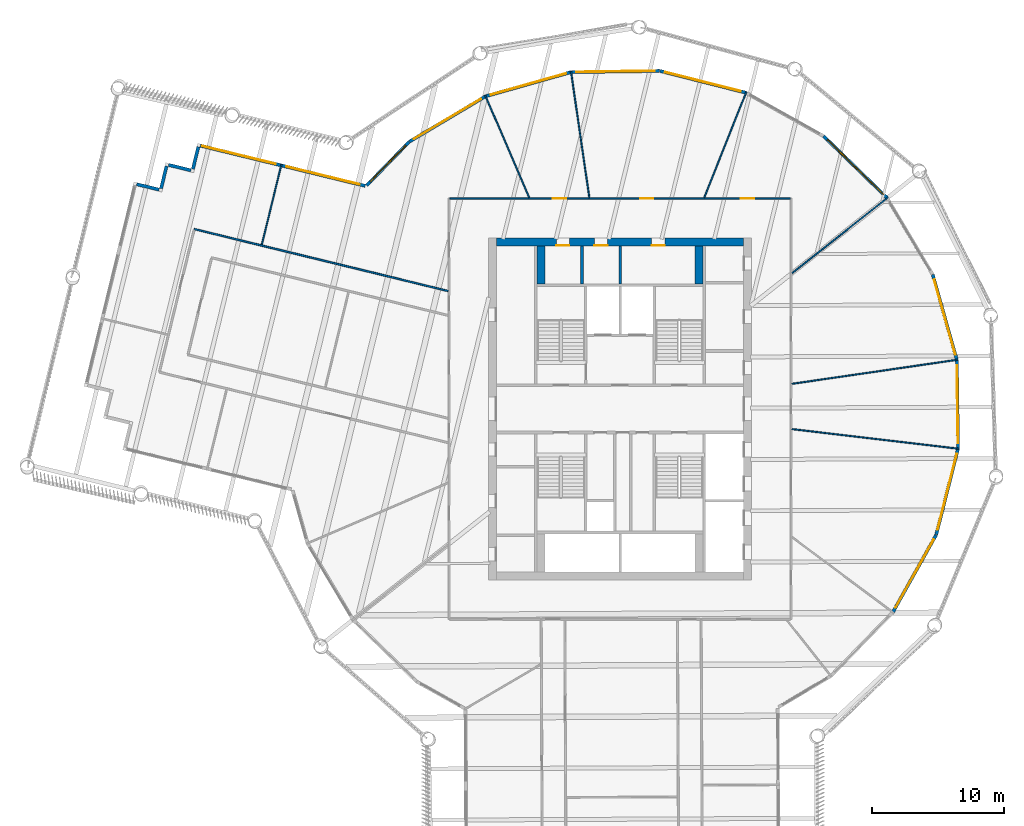
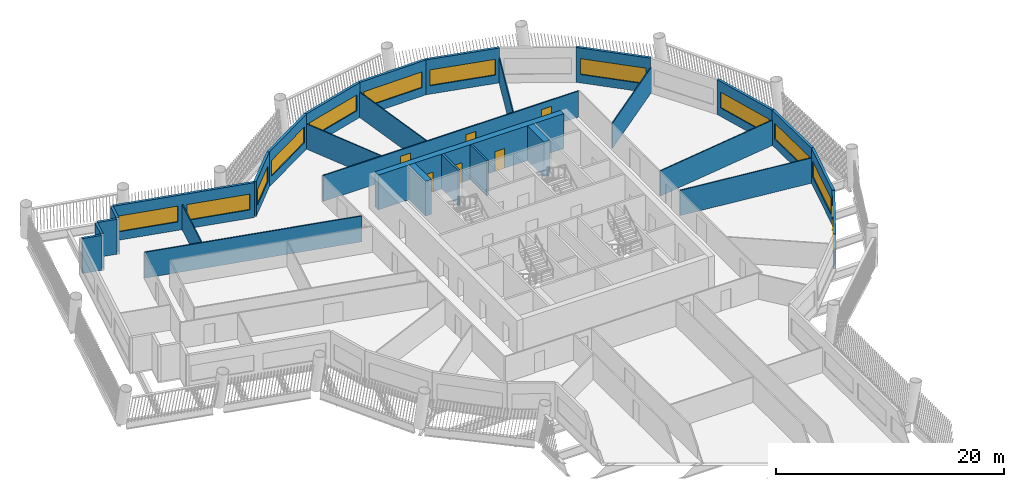
# One storey, part 6 of 15: 29 walls, 12 windows, 6 doors, 18 openings.
"""IFC4 building model written with IfcOpenShell, lengths in metres."""

from ifc_helpers import new_model, si_unit, direction, frame, frame_2d, origin, place, context, subcontext, project, spatial, rectangle, extrude, material, layer, layer_set, type_object, element, fill, save


model = new_model("IFC4")

# Units and contexts
model_context = context("Model", 3, precision=1e-05, world=origin(), true_north=direction((0.0, 1.0)))
body_context = subcontext(model_context, "Body", "Model", "MODEL_VIEW")
ifc_project = project(units=[si_unit("LENGTHUNIT", "METRE"), si_unit("AREAUNIT", "SQUARE_METRE"), si_unit("VOLUMEUNIT", "CUBIC_METRE"), si_unit("PLANEANGLEUNIT", "RADIAN"), si_unit("MASSUNIT", "GRAM", prefix="KILO")], contexts=[model_context])

# Site, building, storey
site_placement = place(None, origin())
site = spatial("IfcSite", under=ifc_project, at=site_placement, CompositionType="ELEMENT")
building_placement = place(site_placement, origin())
building = spatial("IfcBuilding", under=site, at=building_placement, Name="Tarsis Ring Headquarters", CompositionType="ELEMENT")
storey_placement = place(building_placement, frame((0.0, 0.0, 227.699951171875)))
storey = spatial("IfcBuildingStorey", under=building, at=storey_placement, Name="L53", CompositionType="ELEMENT", Elevation=227.699951171875)

# Walls
ifc_material_1 = material(Name="Blockwork", Category="masonry")
ifc_layer_1 = layer(ifc_material_1, 0.199951171875)
ifc_layer_set_1 = layer_set([ifc_layer_1], Name="Core blockwork wall 200")
wall_type_1 = type_object("IfcWallType", Name="Core blockwork wall 200", PredefinedType="PARTITIONING", material=ifc_layer_set_1)
for number, where, z_axis, x_axis, name in (
    (1, (-2.89990234375, 9.5, 0.0), (0.0, 0.0, 1.0), (0.0, 1.0, 0.0), "Core partition ND1"),
    (2, (0.0, 9.5, 0.0), (0.0, 0.0, 1.0), (0.0, 1.0, 0.0), "Core partition ND2"),
):
    element("IfcWall", number, at=place(storey_placement, frame(where, z_axis=z_axis, x_axis=x_axis)), inside=storey, type_object=wall_type_1, Name=name, PredefinedType="PARTITIONING", context=body_context, shape_type="SweptSolid", body=[
        extrude(rectangle(XDim=2.89990234375, YDim=0.199951171875, at=frame_2d((1.449951171875, 0.0))), origin(), (0.0, 0.0, 1.0), 3.739990234375),
    ])

# Wall, openings, doors
ifc_material_2 = material(Name="Concrete C50/60", Category="concrete")
ifc_layer_2 = layer(ifc_material_2, 0.60009765625)
ifc_layer_set_2 = layer_set([ifc_layer_2], Name="Core wall 600 C50/60")
wall_type_2 = type_object("IfcWallType", Name="Core wall 600 C50/60", PredefinedType="SHEAR", material=ifc_layer_set_2)
wall_1_placement = place(storey_placement, frame((-9.39990234375, 12.699951171875, 0.0), z_axis=(0.0, 0.0, 1.0), x_axis=(1.0, 0.0, 0.0)))
wall_1 = element("IfcWall", 3, at=wall_1_placement, inside=storey, type_object=wall_type_2, Name="Core wall ON", PredefinedType="SHEAR", context=body_context, shape_type="SweptSolid", body=[
    extrude(rectangle(XDim=18.7998046875, YDim=0.60009765625, at=frame_2d((9.39990234375, 0.0))), origin(), (0.0, 0.0, 1.0), 3.739990234375),
])
opening_1_placement = place(wall_1_placement, frame((4.550048828125, 0.0, 0.0)))
opening_1 = element("IfcOpeningElement", 4, at=opening_1_placement, cuts=wall_1, Name="Opening L53-C14", PredefinedType="OPENING", context=body_context, shape_type="SweptSolid", body=[
    extrude(rectangle(XDim=1.0, YDim=2.10009765625, at=frame_2d((0.5, 1.050048828125))), frame((0.0, 0.31005859375, 0.0), z_axis=(0.0, -1.0, 0.0), x_axis=(1.0, 0.0, 0.0)), (0.0, 0.0, 1.0), 0.6201171875),
])
opening_2_placement = place(wall_1_placement, frame((7.449951171875, 0.0, 0.0)))
opening_2 = element("IfcOpeningElement", 5, at=opening_2_placement, cuts=wall_1, Name="Opening L53-C15", PredefinedType="OPENING", context=body_context, shape_type="SweptSolid", body=[
    extrude(rectangle(XDim=1.0, YDim=2.10009765625, at=frame_2d((0.5, 1.050048828125))), frame((0.0, 0.31005859375, 0.0), z_axis=(0.0, -1.0, 0.0), x_axis=(1.0, 0.0, 0.0)), (0.0, 0.0, 1.0), 0.6201171875),
])
opening_3_placement = place(wall_1_placement, frame((11.800048828125, 0.0, 0.0)))
opening_3 = element("IfcOpeningElement", 6, at=opening_3_placement, cuts=wall_1, Name="Opening L53-C16", PredefinedType="OPENING", context=body_context, shape_type="SweptSolid", body=[
    extrude(rectangle(XDim=1.0, YDim=2.10009765625, at=frame_2d((0.5, 1.050048828125))), frame((0.0, 0.31005859375, 0.0), z_axis=(0.0, -1.0, 0.0), x_axis=(1.0, 0.0, 0.0)), (0.0, 0.0, 1.0), 0.6201171875),
])
ifc_material_3 = material(Name="Steel S355", Category="steel")
door_type_1 = type_object("IfcDoorType", Name="Core room door 1000x2100", OperationType="SINGLE_SWING_LEFT", PredefinedType="DOOR", material=ifc_material_3)
door_1_placement = place(opening_1_placement, origin())
door_1 = element("IfcDoor", 7, at=door_1_placement, inside=storey, type_object=door_type_1, Name="Core room door L53", OperationType="SINGLE_SWING_LEFT", OverallHeight=2.10009765625, OverallWidth=1.0, PredefinedType="DOOR", context=body_context, shape_type="SweptSolid", body=[
    extrude(rectangle(XDim=1.0, YDim=2.10009765625, at=frame_2d((0.5, 1.050048828125))), frame((0.0, -0.25, 0.0), z_axis=(0.0, -1.0, 0.0), x_axis=(1.0, 0.0, 0.0)), (0.0, 0.0, 1.0), 0.050048828125),
])
fill(opening_1, door_1)
door_2_placement = place(opening_2_placement, origin())
door_2 = element("IfcDoor", 8, at=door_2_placement, inside=storey, type_object=door_type_1, Name="Core room door L53", OperationType="SINGLE_SWING_LEFT", OverallHeight=2.10009765625, OverallWidth=1.0, PredefinedType="DOOR", context=body_context, shape_type="SweptSolid", body=[
    extrude(rectangle(XDim=1.0, YDim=2.10009765625, at=frame_2d((0.5, 1.050048828125))), frame((0.0, -0.25, 0.0), z_axis=(0.0, -1.0, 0.0), x_axis=(1.0, 0.0, 0.0)), (0.0, 0.0, 1.0), 0.050048828125),
])
fill(opening_2, door_2)
door_3_placement = place(opening_3_placement, origin())
door_3 = element("IfcDoor", 9, at=door_3_placement, inside=storey, type_object=door_type_1, Name="Core room door L53", OperationType="SINGLE_SWING_LEFT", OverallHeight=2.10009765625, OverallWidth=1.0, PredefinedType="DOOR", context=body_context, shape_type="SweptSolid", body=[
    extrude(rectangle(XDim=1.0, YDim=2.10009765625, at=frame_2d((0.5, 1.050048828125))), frame((0.0, -0.25, 0.0), z_axis=(0.0, -1.0, 0.0), x_axis=(1.0, 0.0, 0.0)), (0.0, 0.0, 1.0), 0.050048828125),
])
fill(opening_3, door_3)

# Walls
ifc_material_4 = material(Name="Gypsum board on steel studs", Category="steel")
ifc_layer_3 = layer(ifc_material_4, 0.10009765625)
ifc_layer_set_3 = layer_set([ifc_layer_3], Name="FL partition 100 unrated")
wall_type_3 = type_object("IfcWallType", Name="FL partition 100 unrated", PredefinedType="PARTITIONING", material=ifc_layer_set_3)
wall_2_placement = place(storey_placement, frame((13.069580078125, -1.539794921875, 0.0), z_axis=(0.0, 0.0, 1.0), x_axis=(0.993128171286, -0.117031770891, 0.0)))
element("IfcWall", 10, at=wall_2_placement, inside=storey, type_object=wall_type_3, Name="Partition PW3", PredefinedType="PARTITIONING", context=body_context, shape_type="SweptSolid", body=[
    extrude(rectangle(XDim=12.787841796875, YDim=0.10009765625, at=frame_2d((6.39404296875, 0.0))), origin(), (0.0, 0.0, 1.0), 2.699951171875),
])
wall_3_placement = place(storey_placement, frame((13.0693359375, 1.90185546875, 0.0), z_axis=(0.0, 0.0, 1.0), x_axis=(0.989574724274, 0.144020363411, 0.0)))
element("IfcWall", 11, at=wall_3_placement, inside=storey, type_object=wall_type_3, Name="Partition PW3", PredefinedType="PARTITIONING", context=body_context, shape_type="SweptSolid", body=[
    extrude(rectangle(XDim=12.740966796875, YDim=0.10009765625, at=frame_2d((6.37060546875, 0.0))), origin(), (0.0, 0.0, 1.0), 2.699951171875),
])
wall_4_placement = place(storey_placement, frame((-3.73681640625, 25.677490234375, 0.0), z_axis=(0.0, 0.0, 1.0), x_axis=(0.144029386318, -0.98957341106, 0.0)))
element("IfcWall", 12, at=wall_4_placement, inside=storey, type_object=wall_type_3, Name="Partition PW3", PredefinedType="PARTITIONING", context=body_context, shape_type="SweptSolid", body=[
    extrude(rectangle(XDim=9.70947265625, YDim=0.10009765625, at=frame_2d((4.854736328125, 0.0))), origin(), (0.0, 0.0, 1.0), 2.699951171875),
])
wall_5_placement = place(storey_placement, frame((13.086181640625, 10.32763671875, 0.0), z_axis=(0.0, 0.0, 1.0), x_axis=(0.785010736889, 0.619482157103, 0.0)))
element("IfcWall", 13, at=wall_5_placement, inside=storey, type_object=wall_type_3, Name="Partition PW3", PredefinedType="PARTITIONING", context=body_context, shape_type="SweptSolid", body=[
    extrude(rectangle(XDim=9.277099609375, YDim=0.10009765625, at=frame_2d((4.638671875, 0.0))), origin(), (0.0, 0.0, 1.0), 2.699951171875),
])
wall_6_placement = place(storey_placement, frame((6.4033203125, 16.07421875, 0.0), z_axis=(0.0, 0.0, 1.0), x_axis=(0.370056199163, 0.929009369953, 0.0)))
element("IfcWall", 14, at=wall_6_placement, inside=storey, type_object=wall_type_3, Name="Partition PW3", PredefinedType="PARTITIONING", context=body_context, shape_type="SweptSolid", body=[
    extrude(rectangle(XDim=8.645263671875, YDim=0.10009765625, at=frame_2d((4.32275390625, 0.0))), origin(), (0.0, 0.0, 1.0), 2.699951171875),
])
wall_7_placement = place(storey_placement, frame((-10.255126953125, 23.835205078125, 0.0), z_axis=(0.0, 0.0, 1.0), x_axis=(0.395209167336, -0.918591157182, 0.0)))
element("IfcWall", 15, at=wall_7_placement, inside=storey, type_object=wall_type_3, Name="Partition PW3", PredefinedType="PARTITIONING", context=body_context, shape_type="SweptSolid", body=[
    extrude(rectangle(XDim=8.44970703125, YDim=0.10009765625, at=frame_2d((4.224853515625, 0.0))), origin(), (0.0, 0.0, 1.0), 2.699951171875),
])
wall_8_placement = place(storey_placement, frame((-27.235595703125, 12.486083984375, 0.0), z_axis=(0.0, 0.0, 1.0), x_axis=(0.237144116852, 0.971474481313, 0.0)))
element("IfcWall", 16, at=wall_8_placement, inside=storey, type_object=wall_type_3, Name="Partition PW3", PredefinedType="PARTITIONING", context=body_context, shape_type="SweptSolid", body=[
    extrude(rectangle(XDim=6.280029296875, YDim=0.10009765625, at=frame_2d((3.14013671875, 0.0))), origin(), (0.0, 0.0, 1.0), 2.699951171875),
])

# Wall, openings, doors
ifc_layer_4 = layer(ifc_material_4, 0.125)
ifc_layer_set_4 = layer_set([ifc_layer_4], Name="FL partition 125 EI 60 H2770")
wall_type_4 = type_object("IfcWallType", Name="FL partition 125 EI 60 H2770", PredefinedType="PARTITIONING", material=ifc_layer_set_4)
wall_9_placement = place(storey_placement, frame((-12.93994140625, 16.0, 0.0), z_axis=(0.0, 0.0, 1.0), x_axis=(1.0, 0.0, 0.0)))
wall_9 = element("IfcWall", 17, at=wall_9_placement, inside=storey, type_object=wall_type_4, Name="Partition PW1", PredefinedType="PARTITIONING", context=body_context, shape_type="SweptSolid", body=[
    extrude(rectangle(XDim=25.8798828125, YDim=0.125, at=frame_2d((12.93994140625, 0.0))), origin(), (0.0, 0.0, 1.0), 2.77001953125),
])
opening_4_placement = place(wall_9_placement, frame((7.833740234375, 0.0, 0.0)))
opening_4 = element("IfcOpeningElement", 18, at=opening_4_placement, cuts=wall_9, Name="Opening D53.04", PredefinedType="OPENING", context=body_context, shape_type="SweptSolid", body=[
    extrude(rectangle(XDim=1.0, YDim=2.10009765625, at=frame_2d((0.5, 1.050048828125))), frame((0.0, 0.072509765625, 0.0), z_axis=(0.0, -1.0, 0.0), x_axis=(1.0, 0.0, 0.0)), (0.0, 0.0, 1.0), 0.14501953125),
])
opening_5_placement = place(wall_9_placement, frame((14.462646484375, 0.0, 0.0)))
opening_5 = element("IfcOpeningElement", 19, at=opening_5_placement, cuts=wall_9, Name="Opening D53.05", PredefinedType="OPENING", context=body_context, shape_type="SweptSolid", body=[
    extrude(rectangle(XDim=1.0, YDim=2.10009765625, at=frame_2d((0.5, 1.050048828125))), frame((0.0, 0.072509765625, 0.0), z_axis=(0.0, -1.0, 0.0), x_axis=(1.0, 0.0, 0.0)), (0.0, 0.0, 1.0), 0.14501953125),
])
opening_6_placement = place(wall_9_placement, frame((22.126708984375, 0.0, 0.0)))
opening_6 = element("IfcOpeningElement", 20, at=opening_6_placement, cuts=wall_9, Name="Opening D53.06", PredefinedType="OPENING", context=body_context, shape_type="SweptSolid", body=[
    extrude(rectangle(XDim=1.0, YDim=2.10009765625, at=frame_2d((0.5, 1.050048828125))), frame((0.0, 0.072509765625, 0.0), z_axis=(0.0, -1.0, 0.0), x_axis=(1.0, 0.0, 0.0)), (0.0, 0.0, 1.0), 0.14501953125),
])
ifc_material_5 = material(Name="Fire-rated timber door leaf in steel frame", Category="steel")
door_type_2 = type_object("IfcDoorType", Name="FL door FD60-1000", OperationType="NOTDEFINED", PredefinedType="DOOR", material=ifc_material_5)
door_4_placement = place(opening_4_placement, origin())
door_4 = element("IfcDoor", 21, at=door_4_placement, inside=storey, type_object=door_type_2, Name="Door D53.04", OperationType="SINGLE_SWING_LEFT", OverallHeight=2.10009765625, OverallWidth=1.0, PredefinedType="DOOR", context=body_context, shape_type="SweptSolid", body=[
    extrude(rectangle(XDim=1.0, YDim=2.10009765625, at=frame_2d((0.5, 1.050048828125))), frame((0.0, 0.02490234375, 0.0), z_axis=(0.0, -1.0, 0.0), x_axis=(1.0, 0.0, 0.0)), (0.0, 0.0, 1.0), 0.050048828125),
])
fill(opening_4, door_4)
door_5_placement = place(opening_5_placement, origin())
door_5 = element("IfcDoor", 22, at=door_5_placement, inside=storey, type_object=door_type_2, Name="Door D53.05", OperationType="SINGLE_SWING_RIGHT", OverallHeight=2.10009765625, OverallWidth=1.0, PredefinedType="DOOR", context=body_context, shape_type="SweptSolid", body=[
    extrude(rectangle(XDim=1.0, YDim=2.10009765625, at=frame_2d((0.5, 1.050048828125))), frame((0.0, 0.02490234375, 0.0), z_axis=(0.0, -1.0, 0.0), x_axis=(1.0, 0.0, 0.0)), (0.0, 0.0, 1.0), 0.050048828125),
])
fill(opening_5, door_5)
door_6_placement = place(opening_6_placement, origin())
door_6 = element("IfcDoor", 23, at=door_6_placement, inside=storey, type_object=door_type_2, Name="Door D53.06", OperationType="SINGLE_SWING_LEFT", OverallHeight=2.10009765625, OverallWidth=1.0, PredefinedType="DOOR", context=body_context, shape_type="SweptSolid", body=[
    extrude(rectangle(XDim=1.0, YDim=2.10009765625, at=frame_2d((0.5, 1.050048828125))), frame((0.0, 0.02490234375, 0.0), z_axis=(0.0, -1.0, 0.0), x_axis=(1.0, 0.0, 0.0)), (0.0, 0.0, 1.0), 0.050048828125),
])
fill(opening_6, door_6)

# Wall
wall_10_placement = place(storey_placement, frame((-32.3720703125, 13.66796875, 0.0), z_axis=(0.0, 0.0, 1.0), x_axis=(0.971466919337, -0.237175092778, 0.0)))
element("IfcWall", 24, at=wall_10_placement, inside=storey, type_object=wall_type_4, Name="Partition PW1", PredefinedType="PARTITIONING", context=body_context, shape_type="SweptSolid", body=[
    extrude(rectangle(XDim=19.870849609375, YDim=0.125, at=frame_2d((9.935546875, 0.0))), origin(), (0.0, 0.0, 1.0), 2.77001953125),
])

# Wall, opening, window
ifc_material_6 = material(Name="Terracotta clad insulated panel wall", Category="masonry")
ifc_layer_5 = layer(ifc_material_6, 0.25)
ifc_layer_set_5 = layer_set([ifc_layer_5], Name="Facade wall terracotta panel 250")
wall_type_5 = type_object("IfcWallType", Name="Facade wall terracotta panel 250", PredefinedType="STANDARD", material=ifc_layer_set_5)
wall_11_placement = place(storey_placement, frame((20.747802734375, -15.455810546875, 0.0), z_axis=(0.0, 0.0, 1.0), x_axis=(0.488142076347, 0.872764179661, 0.0)))
wall_11 = element("IfcWall", 25, at=wall_11_placement, inside=storey, type_object=wall_type_5, Name="External wall L53-19", PredefinedType="STANDARD", context=body_context, shape_type="SweptSolid", body=[
    extrude(rectangle(XDim=6.721435546875, YDim=0.25, at=frame_2d((3.36083984375, 0.0))), origin(), (0.0, 0.0, 1.0), 3.739990234375),
])
opening_7_placement = place(wall_11_placement, frame((0.3857421875, 0.0, 0.89990234375)))
opening_7 = element("IfcOpeningElement", 26, at=opening_7_placement, cuts=wall_11, Name="Opening WN07", PredefinedType="OPENING", context=body_context, shape_type="SweptSolid", body=[
    extrude(rectangle(XDim=5.949951171875, YDim=1.699951171875, at=frame_2d((2.97509765625, 0.85009765625))), frame((0.0, 0.135009765625, 0.0), z_axis=(0.0, -1.0, 0.0), x_axis=(1.0, 0.0, 0.0)), (0.0, 0.0, 1.0), 0.27001953125),
])
ifc_material_7 = material(Name="Aluminium framed double glazing", Category="aluminium")
window_type_1 = type_object("IfcWindowType", Name="Facade window 5950 x 1700", PartitioningType="SINGLE_PANEL", PredefinedType="WINDOW", material=ifc_material_7)
window_1_placement = place(opening_7_placement, origin())
window_1 = element("IfcWindow", 27, at=window_1_placement, inside=storey, type_object=window_type_1, Name="Window L53-19.1", OverallHeight=1.699951171875, OverallWidth=5.949951171875, PartitioningType="SINGLE_PANEL", PredefinedType="WINDOW", context=body_context, shape_type="SweptSolid", body=[
    extrude(rectangle(XDim=5.949951171875, YDim=1.699951171875, at=frame_2d((2.97509765625, 0.85009765625))), frame((0.0, 0.030029296875, 0.0), z_axis=(0.0, -1.0, 0.0), x_axis=(1.0, 0.0, 0.0)), (0.0, 0.0, 1.0), 0.06005859375),
])
fill(opening_7, window_1)

wall_12_placement = place(storey_placement, frame((24.041015625, -9.559326171875, 0.0), z_axis=(0.0, 0.0, 1.0), x_axis=(0.245645245002, 0.969359795745, 0.0)))
wall_12 = element("IfcWall", 28, at=wall_12_placement, inside=storey, type_object=wall_type_5, Name="External wall L53-20", PredefinedType="STANDARD", context=body_context, shape_type="SweptSolid", body=[
    extrude(rectangle(XDim=6.7216796875, YDim=0.25, at=frame_2d((3.36083984375, 0.0))), origin(), (0.0, 0.0, 1.0), 3.739990234375),
])
opening_8_placement = place(wall_12_placement, frame((0.3857421875, 0.0, 0.89990234375)))
opening_8 = element("IfcOpeningElement", 29, at=opening_8_placement, cuts=wall_12, Name="Opening WN07", PredefinedType="OPENING", context=body_context, shape_type="SweptSolid", body=[
    extrude(rectangle(XDim=5.949951171875, YDim=1.699951171875, at=frame_2d((2.97509765625, 0.85009765625))), frame((0.0, 0.135009765625, 0.0), z_axis=(0.0, -1.0, 0.0), x_axis=(1.0, 0.0, 0.0)), (0.0, 0.0, 1.0), 0.27001953125),
])
window_2_placement = place(opening_8_placement, origin())
window_2 = element("IfcWindow", 30, at=window_2_placement, inside=storey, type_object=window_type_1, Name="Window L53-20.1", OverallHeight=1.699951171875, OverallWidth=5.949951171875, PartitioningType="SINGLE_PANEL", PredefinedType="WINDOW", context=body_context, shape_type="SweptSolid", body=[
    extrude(rectangle(XDim=5.949951171875, YDim=1.699951171875, at=frame_2d((2.97509765625, 0.85009765625))), frame((0.0, 0.030029296875, 0.0), z_axis=(0.0, -1.0, 0.0), x_axis=(1.0, 0.0, 0.0)), (0.0, 0.0, 1.0), 0.06005859375),
])
fill(opening_8, window_2)

wall_13_placement = place(storey_placement, frame((25.696044921875, -3.01123046875, 0.0), z_axis=(0.0, 0.0, 1.0), x_axis=(-0.013620734954, 0.999907233487, 0.0)))
wall_13 = element("IfcWall", 31, at=wall_13_placement, inside=storey, type_object=wall_type_5, Name="External wall L53-21", PredefinedType="STANDARD", context=body_context, shape_type="SweptSolid", body=[
    extrude(rectangle(XDim=6.7216796875, YDim=0.25, at=frame_2d((3.36083984375, 0.0))), origin(), (0.0, 0.0, 1.0), 3.739990234375),
])
opening_9_placement = place(wall_13_placement, frame((0.3857421875, 0.0, 0.89990234375)))
opening_9 = element("IfcOpeningElement", 32, at=opening_9_placement, cuts=wall_13, Name="Opening WN07", PredefinedType="OPENING", context=body_context, shape_type="SweptSolid", body=[
    extrude(rectangle(XDim=5.949951171875, YDim=1.699951171875, at=frame_2d((2.97509765625, 0.85009765625))), frame((0.0, 0.135009765625, 0.0), z_axis=(0.0, -1.0, 0.0), x_axis=(1.0, 0.0, 0.0)), (0.0, 0.0, 1.0), 0.27001953125),
])
window_3_placement = place(opening_9_placement, origin())
window_3 = element("IfcWindow", 33, at=window_3_placement, inside=storey, type_object=window_type_1, Name="Window L53-21.1", OverallHeight=1.699951171875, OverallWidth=5.949951171875, PartitioningType="SINGLE_PANEL", PredefinedType="WINDOW", context=body_context, shape_type="SweptSolid", body=[
    extrude(rectangle(XDim=5.949951171875, YDim=1.699951171875, at=frame_2d((2.97509765625, 0.85009765625))), frame((0.0, 0.030029296875, 0.0), z_axis=(0.0, -1.0, 0.0), x_axis=(1.0, 0.0, 0.0)), (0.0, 0.0, 1.0), 0.06005859375),
])
fill(opening_9, window_3)

wall_14_placement = place(storey_placement, frame((25.599853515625, 3.741943359375, 0.0), z_axis=(0.0, 0.0, 1.0), x_axis=(-0.271942381043, 0.962313535909, 0.0)))
wall_14 = element("IfcWall", 34, at=wall_14_placement, inside=storey, type_object=wall_type_5, Name="External wall L53-22", PredefinedType="STANDARD", context=body_context, shape_type="SweptSolid", body=[
    extrude(rectangle(XDim=6.7216796875, YDim=0.25, at=frame_2d((3.36083984375, 0.0))), origin(), (0.0, 0.0, 1.0), 3.739990234375),
])
opening_10_placement = place(wall_14_placement, frame((0.3857421875, 0.0, 0.89990234375)))
opening_10 = element("IfcOpeningElement", 35, at=opening_10_placement, cuts=wall_14, Name="Opening WN07", PredefinedType="OPENING", context=body_context, shape_type="SweptSolid", body=[
    extrude(rectangle(XDim=5.949951171875, YDim=1.699951171875, at=frame_2d((2.97509765625, 0.85009765625))), frame((0.0, 0.135009765625, 0.0), z_axis=(0.0, -1.0, 0.0), x_axis=(1.0, 0.0, 0.0)), (0.0, 0.0, 1.0), 0.27001953125),
])
window_4_placement = place(opening_10_placement, origin())
window_4 = element("IfcWindow", 36, at=window_4_placement, inside=storey, type_object=window_type_1, Name="Window L53-22.1", OverallHeight=1.699951171875, OverallWidth=5.949951171875, PartitioningType="SINGLE_PANEL", PredefinedType="WINDOW", context=body_context, shape_type="SweptSolid", body=[
    extrude(rectangle(XDim=5.949951171875, YDim=1.699951171875, at=frame_2d((2.97509765625, 0.85009765625))), frame((0.0, 0.030029296875, 0.0), z_axis=(0.0, -1.0, 0.0), x_axis=(1.0, 0.0, 0.0)), (0.0, 0.0, 1.0), 0.06005859375),
])
fill(opening_10, window_4)

wall_15_placement = place(storey_placement, frame((20.299072265625, 16.04052734375, 0.0), z_axis=(0.0, 0.0, 1.0), x_axis=(-0.716666559453, 0.69741597527, 0.0)))
wall_15 = element("IfcWall", 37, at=wall_15_placement, inside=storey, type_object=wall_type_5, Name="External wall L53-24", PredefinedType="STANDARD", context=body_context, shape_type="SweptSolid", body=[
    extrude(rectangle(XDim=6.7216796875, YDim=0.25, at=frame_2d((3.36083984375, 0.0))), origin(), (0.0, 0.0, 1.0), 3.739990234375),
])
opening_11_placement = place(wall_15_placement, frame((0.3857421875, 0.0, 0.89990234375)))
opening_11 = element("IfcOpeningElement", 38, at=opening_11_placement, cuts=wall_15, Name="Opening WN07", PredefinedType="OPENING", context=body_context, shape_type="SweptSolid", body=[
    extrude(rectangle(XDim=5.949951171875, YDim=1.699951171875, at=frame_2d((2.97509765625, 0.85009765625))), frame((0.0, 0.135009765625, 0.0), z_axis=(0.0, -1.0, 0.0), x_axis=(1.0, 0.0, 0.0)), (0.0, 0.0, 1.0), 0.27001953125),
])
window_5_placement = place(opening_11_placement, origin())
window_5 = element("IfcWindow", 39, at=window_5_placement, inside=storey, type_object=window_type_1, Name="Window L53-24.1", OverallHeight=1.699951171875, OverallWidth=5.949951171875, PartitioningType="SINGLE_PANEL", PredefinedType="WINDOW", context=body_context, shape_type="SweptSolid", body=[
    extrude(rectangle(XDim=5.949951171875, YDim=1.699951171875, at=frame_2d((2.97509765625, 0.85009765625))), frame((0.0, 0.030029296875, 0.0), z_axis=(0.0, -1.0, 0.0), x_axis=(1.0, 0.0, 0.0)), (0.0, 0.0, 1.0), 0.06005859375),
])
fill(opening_11, window_5)

wall_16_placement = place(storey_placement, frame((9.559326171875, 24.041015625, 0.0), z_axis=(0.0, 0.0, 1.0), x_axis=(-0.969359795745, 0.245645245002, 0.0)))
wall_16 = element("IfcWall", 40, at=wall_16_placement, inside=storey, type_object=wall_type_5, Name="External wall L53-26", PredefinedType="STANDARD", context=body_context, shape_type="SweptSolid", body=[
    extrude(rectangle(XDim=6.7216796875, YDim=0.25, at=frame_2d((3.36083984375, 0.0))), origin(), (0.0, 0.0, 1.0), 3.739990234375),
])
opening_12_placement = place(wall_16_placement, frame((0.3857421875, 0.0, 0.89990234375)))
opening_12 = element("IfcOpeningElement", 41, at=opening_12_placement, cuts=wall_16, Name="Opening WN07", PredefinedType="OPENING", context=body_context, shape_type="SweptSolid", body=[
    extrude(rectangle(XDim=5.949951171875, YDim=1.699951171875, at=frame_2d((2.97509765625, 0.85009765625))), frame((0.0, 0.135009765625, 0.0), z_axis=(0.0, -1.0, 0.0), x_axis=(1.0, 0.0, 0.0)), (0.0, 0.0, 1.0), 0.27001953125),
])
window_6_placement = place(opening_12_placement, origin())
window_6 = element("IfcWindow", 42, at=window_6_placement, inside=storey, type_object=window_type_1, Name="Window L53-26.1", OverallHeight=1.699951171875, OverallWidth=5.949951171875, PartitioningType="SINGLE_PANEL", PredefinedType="WINDOW", context=body_context, shape_type="SweptSolid", body=[
    extrude(rectangle(XDim=5.949951171875, YDim=1.699951171875, at=frame_2d((2.97509765625, 0.85009765625))), frame((0.0, 0.030029296875, 0.0), z_axis=(0.0, -1.0, 0.0), x_axis=(1.0, 0.0, 0.0)), (0.0, 0.0, 1.0), 0.06005859375),
])
fill(opening_12, window_6)

wall_17_placement = place(storey_placement, frame((3.01123046875, 25.696044921875, 0.0), z_axis=(0.0, 0.0, 1.0), x_axis=(-0.999907233487, -0.013620734954, 0.0)))
wall_17 = element("IfcWall", 43, at=wall_17_placement, inside=storey, type_object=wall_type_5, Name="External wall L53-27", PredefinedType="STANDARD", context=body_context, shape_type="SweptSolid", body=[
    extrude(rectangle(XDim=6.7216796875, YDim=0.25, at=frame_2d((3.36083984375, 0.0))), origin(), (0.0, 0.0, 1.0), 3.739990234375),
])
opening_13_placement = place(wall_17_placement, frame((0.3857421875, 0.0, 0.89990234375)))
opening_13 = element("IfcOpeningElement", 44, at=opening_13_placement, cuts=wall_17, Name="Opening WN07", PredefinedType="OPENING", context=body_context, shape_type="SweptSolid", body=[
    extrude(rectangle(XDim=5.949951171875, YDim=1.699951171875, at=frame_2d((2.97509765625, 0.85009765625))), frame((0.0, 0.135009765625, 0.0), z_axis=(0.0, -1.0, 0.0), x_axis=(1.0, 0.0, 0.0)), (0.0, 0.0, 1.0), 0.27001953125),
])
window_7_placement = place(opening_13_placement, origin())
window_7 = element("IfcWindow", 45, at=window_7_placement, inside=storey, type_object=window_type_1, Name="Window L53-27.1", OverallHeight=1.699951171875, OverallWidth=5.949951171875, PartitioningType="SINGLE_PANEL", PredefinedType="WINDOW", context=body_context, shape_type="SweptSolid", body=[
    extrude(rectangle(XDim=5.949951171875, YDim=1.699951171875, at=frame_2d((2.97509765625, 0.85009765625))), frame((0.0, 0.030029296875, 0.0), z_axis=(0.0, -1.0, 0.0), x_axis=(1.0, 0.0, 0.0)), (0.0, 0.0, 1.0), 0.06005859375),
])
fill(opening_13, window_7)

wall_18_placement = place(storey_placement, frame((-3.741943359375, 25.599853515625, 0.0), z_axis=(0.0, 0.0, 1.0), x_axis=(-0.962313535909, -0.271942381043, 0.0)))
wall_18 = element("IfcWall", 46, at=wall_18_placement, inside=storey, type_object=wall_type_5, Name="External wall L53-28", PredefinedType="STANDARD", context=body_context, shape_type="SweptSolid", body=[
    extrude(rectangle(XDim=6.7216796875, YDim=0.25, at=frame_2d((3.36083984375, 0.0))), origin(), (0.0, 0.0, 1.0), 3.739990234375),
])
opening_14_placement = place(wall_18_placement, frame((0.3857421875, 0.0, 0.89990234375)))
opening_14 = element("IfcOpeningElement", 47, at=opening_14_placement, cuts=wall_18, Name="Opening WN07", PredefinedType="OPENING", context=body_context, shape_type="SweptSolid", body=[
    extrude(rectangle(XDim=5.949951171875, YDim=1.699951171875, at=frame_2d((2.97509765625, 0.85009765625))), frame((0.0, 0.135009765625, 0.0), z_axis=(0.0, -1.0, 0.0), x_axis=(1.0, 0.0, 0.0)), (0.0, 0.0, 1.0), 0.27001953125),
])
window_8_placement = place(opening_14_placement, origin())
window_8 = element("IfcWindow", 48, at=window_8_placement, inside=storey, type_object=window_type_1, Name="Window L53-28.1", OverallHeight=1.699951171875, OverallWidth=5.949951171875, PartitioningType="SINGLE_PANEL", PredefinedType="WINDOW", context=body_context, shape_type="SweptSolid", body=[
    extrude(rectangle(XDim=5.949951171875, YDim=1.699951171875, at=frame_2d((2.97509765625, 0.85009765625))), frame((0.0, 0.030029296875, 0.0), z_axis=(0.0, -1.0, 0.0), x_axis=(1.0, 0.0, 0.0)), (0.0, 0.0, 1.0), 0.06005859375),
])
fill(opening_14, window_8)

wall_19_placement = place(storey_placement, frame((-10.240234375, 23.759033203125, 0.0), z_axis=(0.0, 0.0, 1.0), x_axis=(-0.859135862058, -0.511747565236, 0.0)))
wall_19 = element("IfcWall", 49, at=wall_19_placement, inside=storey, type_object=wall_type_5, Name="External wall L53-29", PredefinedType="STANDARD", context=body_context, shape_type="SweptSolid", body=[
    extrude(rectangle(XDim=6.721435546875, YDim=0.25, at=frame_2d((3.36083984375, 0.0))), origin(), (0.0, 0.0, 1.0), 3.739990234375),
])
opening_15_placement = place(wall_19_placement, frame((0.3857421875, 0.0, 0.89990234375)))
opening_15 = element("IfcOpeningElement", 50, at=opening_15_placement, cuts=wall_19, Name="Opening WN07", PredefinedType="OPENING", context=body_context, shape_type="SweptSolid", body=[
    extrude(rectangle(XDim=5.949951171875, YDim=1.699951171875, at=frame_2d((2.97509765625, 0.85009765625))), frame((0.0, 0.135009765625, 0.0), z_axis=(0.0, -1.0, 0.0), x_axis=(1.0, 0.0, 0.0)), (0.0, 0.0, 1.0), 0.27001953125),
])
window_9_placement = place(opening_15_placement, origin())
window_9 = element("IfcWindow", 51, at=window_9_placement, inside=storey, type_object=window_type_1, Name="Window L53-29.1", OverallHeight=1.699951171875, OverallWidth=5.949951171875, PartitioningType="SINGLE_PANEL", PredefinedType="WINDOW", context=body_context, shape_type="SweptSolid", body=[
    extrude(rectangle(XDim=5.949951171875, YDim=1.699951171875, at=frame_2d((2.97509765625, 0.85009765625))), frame((0.0, 0.030029296875, 0.0), z_axis=(0.0, -1.0, 0.0), x_axis=(1.0, 0.0, 0.0)), (0.0, 0.0, 1.0), 0.06005859375),
])
fill(opening_15, window_9)

wall_20_placement = place(storey_placement, frame((-16.04052734375, 20.299072265625, 0.0), z_axis=(0.0, 0.0, 1.0), x_axis=(-0.697392393536, -0.716689506996, 0.0)))
wall_20 = element("IfcWall", 52, at=wall_20_placement, inside=storey, type_object=wall_type_5, Name="External wall L53-30", PredefinedType="STANDARD", context=body_context, shape_type="SweptSolid", body=[
    extrude(rectangle(XDim=4.617919921875, YDim=0.25, at=frame_2d((2.30908203125, 0.0))), origin(), (0.0, 0.0, 1.0), 3.739990234375),
])
opening_16_placement = place(wall_20_placement, frame((0.367431640625, 0.0, 0.89990234375)))
opening_16 = element("IfcOpeningElement", 53, at=opening_16_placement, cuts=wall_20, Name="Opening WN02", PredefinedType="OPENING", context=body_context, shape_type="SweptSolid", body=[
    extrude(rectangle(XDim=3.85009765625, YDim=1.699951171875, at=frame_2d((1.925048828125, 0.85009765625))), frame((0.0, 0.135009765625, 0.0), z_axis=(0.0, -1.0, 0.0), x_axis=(1.0, 0.0, 0.0)), (0.0, 0.0, 1.0), 0.27001953125),
])
window_type_2 = type_object("IfcWindowType", Name="Facade window 3850 x 1700", PartitioningType="SINGLE_PANEL", PredefinedType="WINDOW", material=ifc_material_7)
window_10_placement = place(opening_16_placement, origin())
window_10 = element("IfcWindow", 54, at=window_10_placement, inside=storey, type_object=window_type_2, Name="Window L53-30.1", OverallHeight=1.699951171875, OverallWidth=3.85009765625, PartitioningType="SINGLE_PANEL", PredefinedType="WINDOW", context=body_context, shape_type="SweptSolid", body=[
    extrude(rectangle(XDim=3.85009765625, YDim=1.699951171875, at=frame_2d((1.925048828125, 0.85009765625))), frame((0.0, 0.030029296875, 0.0), z_axis=(0.0, -1.0, 0.0), x_axis=(1.0, 0.0, 0.0)), (0.0, 0.0, 1.0), 0.06005859375),
])
fill(opening_16, window_10)

# Wall, openings, windows
wall_21_placement = place(storey_placement, frame((-19.38037109375, 16.955322265625, 0.0), z_axis=(0.0, 0.0, 1.0), x_axis=(-0.971466867666, 0.237175304421, 0.0)))
wall_21 = element("IfcWall", 55, at=wall_21_placement, inside=storey, type_object=wall_type_5, Name="External wall L53-31", PredefinedType="STANDARD", context=body_context, shape_type="SweptSolid", body=[
    extrude(rectangle(XDim=12.901123046875, YDim=0.25, at=frame_2d((6.45068359375, 0.0))), origin(), (0.0, 0.0, 1.0), 3.739990234375),
])
opening_17_placement = place(wall_21_placement, frame((0.412841796875, 0.0, 0.89990234375)))
opening_17 = element("IfcOpeningElement", 56, at=opening_17_placement, cuts=wall_21, Name="Opening WN06", PredefinedType="OPENING", context=body_context, shape_type="SweptSolid", body=[
    extrude(rectangle(XDim=5.75, YDim=1.699951171875, at=frame_2d((2.875, 0.85009765625))), frame((0.0, 0.135009765625, 0.0), z_axis=(0.0, -1.0, 0.0), x_axis=(1.0, 0.0, 0.0)), (0.0, 0.0, 1.0), 0.27001953125),
])
opening_18_placement = place(wall_21_placement, frame((6.988525390625, 0.0, 0.89990234375)))
opening_18 = element("IfcOpeningElement", 57, at=opening_18_placement, cuts=wall_21, Name="Opening WN06", PredefinedType="OPENING", context=body_context, shape_type="SweptSolid", body=[
    extrude(rectangle(XDim=5.75, YDim=1.699951171875, at=frame_2d((2.875, 0.85009765625))), frame((0.0, 0.135009765625, 0.0), z_axis=(0.0, -1.0, 0.0), x_axis=(1.0, 0.0, 0.0)), (0.0, 0.0, 1.0), 0.27001953125),
])
window_type_3 = type_object("IfcWindowType", Name="Facade window 5750 x 1700", PartitioningType="SINGLE_PANEL", PredefinedType="WINDOW", material=ifc_material_7)
window_11_placement = place(opening_17_placement, origin())
window_11 = element("IfcWindow", 58, at=window_11_placement, inside=storey, type_object=window_type_3, Name="Window L53-31.1", OverallHeight=1.699951171875, OverallWidth=5.75, PartitioningType="SINGLE_PANEL", PredefinedType="WINDOW", context=body_context, shape_type="SweptSolid", body=[
    extrude(rectangle(XDim=5.75, YDim=1.699951171875, at=frame_2d((2.875, 0.85009765625))), frame((0.0, 0.030029296875, 0.0), z_axis=(0.0, -1.0, 0.0), x_axis=(1.0, 0.0, 0.0)), (0.0, 0.0, 1.0), 0.06005859375),
])
fill(opening_17, window_11)
window_12_placement = place(opening_18_placement, origin())
window_12 = element("IfcWindow", 59, at=window_12_placement, inside=storey, type_object=window_type_3, Name="Window L53-31.2", OverallHeight=1.699951171875, OverallWidth=5.75, PartitioningType="SINGLE_PANEL", PredefinedType="WINDOW", context=body_context, shape_type="SweptSolid", body=[
    extrude(rectangle(XDim=5.75, YDim=1.699951171875, at=frame_2d((2.875, 0.85009765625))), frame((0.0, 0.030029296875, 0.0), z_axis=(0.0, -1.0, 0.0), x_axis=(1.0, 0.0, 0.0)), (0.0, 0.0, 1.0), 0.06005859375),
])
fill(opening_18, window_12)

# Walls
for number, where, z_axis, x_axis, name in (
    (60, (-32.064453125, 19.923583984375, 0.0), (0.0, 0.0, 1.0), (-0.237148858489, -0.971473323832, 0.0), "External wall L53-32"),
    (61, (-32.630615234375, 18.131591796875, 0.0), (0.0, 0.0, 1.0), (-0.971473323832, 0.237148858489, 0.0), "External wall L53-33"),
    (62, (-34.481689453125, 18.454833984375, 0.0), (0.0, 0.0, 1.0), (-0.237312664224, -0.971433322158, 0.0), "External wall L53-34"),
    (63, (-35.0478515625, 16.6630859375, 0.0), (0.0, 0.0, 1.0), (-0.971473323832, 0.237148858489, 0.0), "External wall L53-35"),
):
    element("IfcWall", number, at=place(storey_placement, frame(where, z_axis=z_axis, x_axis=x_axis)), inside=storey, type_object=wall_type_5, Name=name, PredefinedType="STANDARD", context=body_context, shape_type="SweptSolid", body=[
        extrude(rectangle(XDim=1.75, YDim=0.25, at=frame_2d((0.875, 0.0))), origin(), (0.0, 0.0, 1.0), 3.739990234375),
    ])
ifc_material_8 = material(Name="Concrete C32/40", Category="concrete")
ifc_layer_6 = layer(ifc_material_8, 0.60009765625)
ifc_layer_set_6 = layer_set([ifc_layer_6], Name="Shaft end wall 600 C32/40")
wall_type_6 = type_object("IfcWallType", Name="Shaft end wall 600 C32/40", PredefinedType="SOLIDWALL", material=ifc_layer_set_6)
for number, where, z_axis, x_axis, name in (
    (64, (-6.0, 9.5, 0.0), (0.0, 0.0, 1.0), (0.0, 1.0, 0.0), "Core shaft wall NNE1"),
    (65, (6.0, 9.5, 0.0), (0.0, 0.0, 1.0), (0.0, 1.0, 0.0), "Core shaft wall NNE2"),
):
    element("IfcWall", number, at=place(storey_placement, frame(where, z_axis=z_axis, x_axis=x_axis)), inside=storey, type_object=wall_type_6, Name=name, PredefinedType="SOLIDWALL", context=body_context, shape_type="SweptSolid", body=[
        extrude(rectangle(XDim=2.89990234375, YDim=0.60009765625, at=frame_2d((1.449951171875, 0.0))), origin(), (0.0, 0.0, 1.0), 3.739990234375),
    ])

save(model, "model.ifc")
